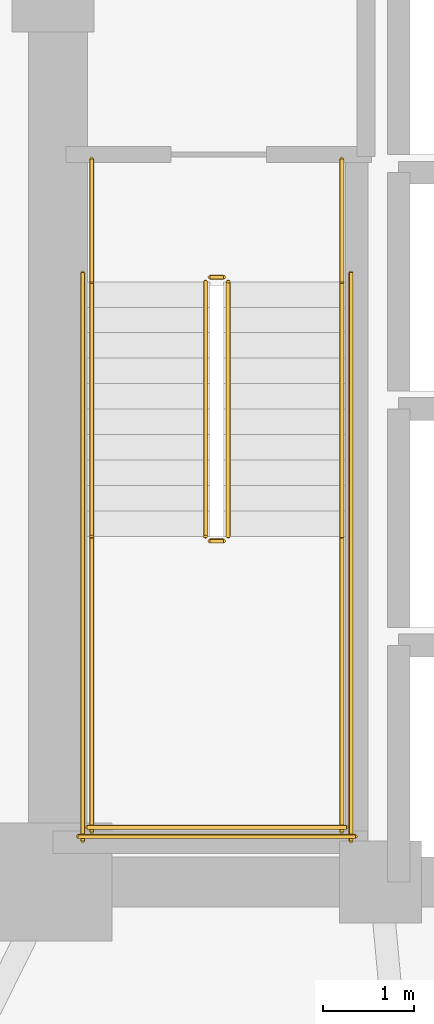
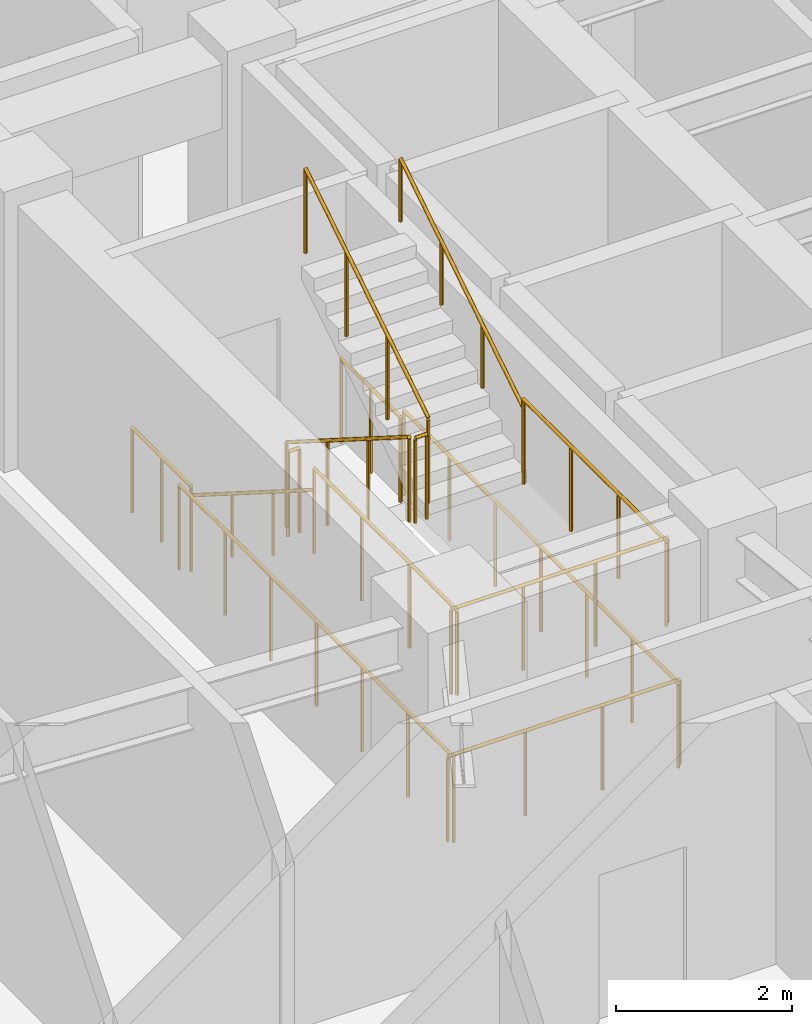
# One storey, part 11 of 12: 14 railings.
"""IFC4 building model written with IfcOpenShell, lengths in metres."""

from ifc_helpers import new_model, si_unit, direction, frame, origin, origin_2d, place, context, subcontext, project, spatial, circle, extrude, material, type_object, element, save


model = new_model("IFC4")

# Units and contexts
model_context = context("Model", 3, precision=1e-05, world=origin(), true_north=direction((0.0, 1.0)))
body_context = subcontext(model_context, "Body", "Model", "MODEL_VIEW")
ifc_project = project(units=[si_unit("LENGTHUNIT", "METRE"), si_unit("AREAUNIT", "SQUARE_METRE"), si_unit("VOLUMEUNIT", "CUBIC_METRE"), si_unit("PLANEANGLEUNIT", "RADIAN"), si_unit("MASSUNIT", "GRAM", prefix="KILO")], contexts=[model_context])

# Site, building, storey
site_placement = place(None, origin())
site = spatial("IfcSite", under=ifc_project, at=site_placement, CompositionType="ELEMENT")
building_placement = place(site_placement, origin())
building = spatial("IfcBuilding", under=site, at=building_placement, Name="Voryun Gate Residences", CompositionType="ELEMENT")
storey_placement = place(building_placement, frame((0.0, 0.0, 109.199951171875)))
storey = spatial("IfcBuildingStorey", under=building, at=storey_placement, Name="L26", CompositionType="ELEMENT", Elevation=109.199951171875)

# Railings
ifc_material_1 = material(Name="Painted steel", Category="steel")
railing_type_1 = type_object("IfcRailingType", Name="RAIL_STAIR_GUARD_1200", PredefinedType="GUARDRAIL", material=ifc_material_1)
railing_1_placement = place(storey_placement, frame((-17.52490234375, -0.800048828125, 0.17724609375)))
element("IfcRailing", 1, at=railing_1_placement, inside=storey, type_object=railing_type_1, Name="L26 ST-W1 stair guard 1", PredefinedType="GUARDRAIL", context=body_context, shape_type="SweptSolid", body=[
    extrude(circle(Radius=0.02392578125, at=origin_2d()), frame((0.0, 0.0, 1.17578125), z_axis=(0.0, -0.844908973607, 0.534910110503), x_axis=(1.0, 0.0, 0.0)), (0.0, 0.0, 1.0), 3.31396484375),
    extrude(circle(Radius=0.02099609375, at=origin_2d()), origin(), (0.0, 0.0, 1.0), 1.15185546875),
    extrude(circle(Radius=0.02099609375, at=origin_2d()), frame((0.0, -0.933349609375, 0.5908203125)), (0.0, 0.0, 1.0), 1.15185546875),
    extrude(circle(Radius=0.02099609375, at=origin_2d()), frame((0.0, -1.86669921875, 1.181884765625)), (0.0, 0.0, 1.0), 1.15185546875),
    extrude(circle(Radius=0.02099609375, at=origin_2d()), frame((0.0, -2.800048828125, 1.772705078125)), (0.0, 0.0, 1.0), 1.15185546875),
])
railing_2_placement = place(storey_placement, frame((-17.47509765625, -3.64990234375, 1.949951171875)))
element("IfcRailing", 2, at=railing_2_placement, inside=storey, type_object=railing_type_1, Name="L26 ST-W1 stair guard 2", PredefinedType="GUARDRAIL", context=body_context, shape_type="SweptSolid", body=[
    extrude(circle(Radius=0.02392578125, at=origin_2d()), frame((0.0, 0.0, 1.17578125), z_axis=(1.0, 0.0, 0.0), x_axis=(0.0, 1.0, 0.0)), (0.0, 0.0, 1.0), 0.150146484375),
    extrude(circle(Radius=0.02099609375, at=origin_2d()), origin(), (0.0, 0.0, 1.0), 1.15185546875),
    extrude(circle(Radius=0.02099609375, at=origin_2d()), frame((0.150146484375, 0.0, 0.0)), (0.0, 0.0, 1.0), 1.15185546875),
])
for number, where, name in (
    (3, (-18.77490234375, -3.60009765625, 1.949951171875), "L26 ST-W1 stair guard 3"),
    (4, (-16.02490234375, -3.60009765625, 1.949951171875), "L26 ST-W1 stair guard 4"),
):
    element("IfcRailing", number, at=place(storey_placement, frame(where)), inside=storey, type_object=railing_type_1, Name=name, PredefinedType="GUARDRAIL", context=body_context, shape_type="SweptSolid", body=[
        extrude(circle(Radius=0.02392578125, at=origin_2d()), frame((0.0, 0.0, 1.17578125), z_axis=(0.0, -1.0, 0.0), x_axis=(1.0, 0.0, 0.0)), (0.0, 0.0, 1.0), 3.25),
        extrude(circle(Radius=0.02099609375, at=origin_2d()), origin(), (0.0, 0.0, 1.0), 1.15185546875),
        extrude(circle(Radius=0.02099609375, at=origin_2d()), frame((0.0, -1.083251953125, 0.0)), (0.0, 0.0, 1.0), 1.15185546875),
        extrude(circle(Radius=0.02099609375, at=origin_2d()), frame((0.0, -2.166748046875, 0.0)), (0.0, 0.0, 1.0), 1.15185546875),
        extrude(circle(Radius=0.02099609375, at=origin_2d()), frame((0.0, -3.25, 0.0)), (0.0, 0.0, 1.0), 1.15185546875),
    ])
railing_3_placement = place(storey_placement, frame((-18.824951171875, -6.800048828125, 1.949951171875)))
element("IfcRailing", 5, at=railing_3_placement, inside=storey, type_object=railing_type_1, Name="L26 ST-W1 stair guard 5", PredefinedType="GUARDRAIL", context=body_context, shape_type="SweptSolid", body=[
    extrude(circle(Radius=0.02392578125, at=origin_2d()), frame((0.0, 0.0, 1.17578125), z_axis=(1.0, 0.0, 0.0), x_axis=(0.0, 1.0, 0.0)), (0.0, 0.0, 1.0), 2.849853515625),
    extrude(circle(Radius=0.02099609375, at=origin_2d()), origin(), (0.0, 0.0, 1.0), 1.15185546875),
    extrude(circle(Radius=0.02099609375, at=origin_2d()), frame((0.949951171875, 0.0, 0.0)), (0.0, 0.0, 1.0), 1.15185546875),
    extrude(circle(Radius=0.02099609375, at=origin_2d()), frame((1.89990234375, 0.0, 0.0)), (0.0, 0.0, 1.0), 1.15185546875),
    extrude(circle(Radius=0.02099609375, at=origin_2d()), frame((2.849853515625, 0.0, 0.0)), (0.0, 0.0, 1.0), 1.15185546875),
])
railing_4_placement = place(storey_placement, frame((-17.27490234375, -3.60009765625, 2.12744140625)))
element("IfcRailing", 6, at=railing_4_placement, inside=storey, type_object=railing_type_1, Name="L26 ST-W1 stair guard 6", PredefinedType="GUARDRAIL", context=body_context, shape_type="SweptSolid", body=[
    extrude(circle(Radius=0.02392578125, at=origin_2d()), frame((0.0, 0.0, 1.17578125), z_axis=(0.0, 0.844908973607, 0.534910110503), x_axis=(-1.0, 0.0, 0.0)), (0.0, 0.0, 1.0), 3.31396484375),
    extrude(circle(Radius=0.02099609375, at=origin_2d()), origin(), (0.0, 0.0, 1.0), 1.15185546875),
    extrude(circle(Radius=0.02099609375, at=origin_2d()), frame((0.0, 0.933349609375, 0.5908203125)), (0.0, 0.0, 1.0), 1.15185546875),
    extrude(circle(Radius=0.02099609375, at=origin_2d()), frame((0.0, 1.86669921875, 1.181884765625)), (0.0, 0.0, 1.0), 1.15185546875),
    extrude(circle(Radius=0.02099609375, at=origin_2d()), frame((0.0, 2.800048828125, 1.772705078125)), (0.0, 0.0, 1.0), 1.15185546875),
])
railing_5_placement = place(storey_placement, frame((-17.47509765625, -0.75, 0.0)))
element("IfcRailing", 7, at=railing_5_placement, inside=storey, type_object=railing_type_1, Name="L26 ST-W1 stair guard 7", PredefinedType="GUARDRAIL", context=body_context, shape_type="SweptSolid", body=[
    extrude(circle(Radius=0.02392578125, at=origin_2d()), frame((0.0, 0.0, 1.17578125), z_axis=(1.0, 0.0, 0.0), x_axis=(0.0, 1.0, 0.0)), (0.0, 0.0, 1.0), 0.150146484375),
    extrude(circle(Radius=0.02099609375, at=origin_2d()), origin(), (0.0, 0.0, 1.0), 1.15185546875),
    extrude(circle(Radius=0.02099609375, at=origin_2d()), frame((0.150146484375, 0.0, 0.0)), (0.0, 0.0, 1.0), 1.15185546875),
])
for number, where, name in (
    (8, (-18.77490234375, 0.550048828125, 0.0), "L26 ST-W1 stair guard 8"),
    (9, (-16.02490234375, 0.550048828125, 0.0), "L26 ST-W1 stair guard 9"),
):
    element("IfcRailing", number, at=place(storey_placement, frame(where)), inside=storey, type_object=railing_type_1, Name=name, PredefinedType="GUARDRAIL", context=body_context, shape_type="SweptSolid", body=[
        extrude(circle(Radius=0.02392578125, at=origin_2d()), frame((0.0, 0.0, 1.17578125), z_axis=(0.0, -1.0, 0.0), x_axis=(1.0, 0.0, 0.0)), (0.0, 0.0, 1.0), 1.35009765625),
        extrude(circle(Radius=0.02099609375, at=origin_2d()), origin(), (0.0, 0.0, 1.0), 1.15185546875),
        extrude(circle(Radius=0.02099609375, at=origin_2d()), frame((0.0, -0.675048828125, 0.0)), (0.0, 0.0, 1.0), 1.15185546875),
        extrude(circle(Radius=0.02099609375, at=origin_2d()), frame((0.0, -1.35009765625, 0.0)), (0.0, 0.0, 1.0), 1.15185546875),
    ])
for number, where, name in (
    (10, (-18.875, -0.699951171875, 0.0), "L26 ST-W1 stair guard 10"),
    (11, (-15.925048828125, -0.699951171875, 0.0), "L26 ST-W1 stair guard 11"),
):
    element("IfcRailing", number, at=place(storey_placement, frame(where)), inside=storey, type_object=railing_type_1, Name=name, PredefinedType="GUARDRAIL", context=body_context, shape_type="SweptSolid", body=[
        extrude(circle(Radius=0.02392578125, at=origin_2d()), frame((0.0, 0.0, 1.17578125), z_axis=(0.0, -1.0, 0.0), x_axis=(1.0, 0.0, 0.0)), (0.0, 0.0, 1.0), 6.25),
        extrude(circle(Radius=0.02099609375, at=origin_2d()), origin(), (0.0, 0.0, 1.0), 1.15185546875),
        extrude(circle(Radius=0.02099609375, at=origin_2d()), frame((0.0, -1.041748046875, 0.0)), (0.0, 0.0, 1.0), 1.15185546875),
        extrude(circle(Radius=0.02099609375, at=origin_2d()), frame((0.0, -2.083251953125, 0.0)), (0.0, 0.0, 1.0), 1.15185546875),
        extrude(circle(Radius=0.02099609375, at=origin_2d()), frame((0.0, -3.125, 0.0)), (0.0, 0.0, 1.0), 1.15185546875),
        extrude(circle(Radius=0.02099609375, at=origin_2d()), frame((0.0, -4.166748046875, 0.0)), (0.0, 0.0, 1.0), 1.15185546875),
        extrude(circle(Radius=0.02099609375, at=origin_2d()), frame((0.0, -5.208251953125, 0.0)), (0.0, 0.0, 1.0), 1.15185546875),
        extrude(circle(Radius=0.02099609375, at=origin_2d()), frame((0.0, -6.25, 0.0)), (0.0, 0.0, 1.0), 1.15185546875),
    ])
railing_6_placement = place(storey_placement, frame((-18.925048828125, -6.89990234375, 0.0)))
element("IfcRailing", 12, at=railing_6_placement, inside=storey, type_object=railing_type_1, Name="L26 ST-W1 stair guard 12", PredefinedType="GUARDRAIL", context=body_context, shape_type="SweptSolid", body=[
    extrude(circle(Radius=0.02392578125, at=origin_2d()), frame((0.0, 0.0, 1.17578125), z_axis=(1.0, 0.0, 0.0), x_axis=(0.0, 1.0, 0.0)), (0.0, 0.0, 1.0), 3.050048828125),
    extrude(circle(Radius=0.02099609375, at=origin_2d()), origin(), (0.0, 0.0, 1.0), 1.15185546875),
    extrude(circle(Radius=0.02099609375, at=origin_2d()), frame((1.0166015625, 0.0, 0.0)), (0.0, 0.0, 1.0), 1.15185546875),
    extrude(circle(Radius=0.02099609375, at=origin_2d()), frame((2.033447265625, 0.0, 0.0)), (0.0, 0.0, 1.0), 1.15185546875),
    extrude(circle(Radius=0.02099609375, at=origin_2d()), frame((3.050048828125, 0.0, 0.0)), (0.0, 0.0, 1.0), 1.15185546875),
])
ifc_material_2 = material(Name="Painted steel", Category="steel")
railing_type_2 = type_object("IfcRailingType", Name="RAIL_STAIR_HANDRAIL_900", PredefinedType="HANDRAIL", material=ifc_material_2)
railing_7_placement = place(storey_placement, frame((-18.77490234375, -0.800048828125, 0.17724609375)))
element("IfcRailing", 13, at=railing_7_placement, inside=storey, type_object=railing_type_2, Name="L26 ST-W1 stair handrail 1", PredefinedType="HANDRAIL", context=body_context, shape_type="SweptSolid", body=[
    extrude(circle(Radius=0.02392578125, at=origin_2d()), frame((0.0, 0.0, 0.8759765625), z_axis=(0.0, -0.844908973607, 0.534910110503), x_axis=(1.0, 0.0, 0.0)), (0.0, 0.0, 1.0), 3.31396484375),
    extrude(circle(Radius=0.02099609375, at=origin_2d()), origin(), (0.0, 0.0, 1.0), 0.851806640625),
    extrude(circle(Radius=0.02099609375, at=origin_2d()), frame((0.0, -0.933349609375, 0.5908203125)), (0.0, 0.0, 1.0), 0.851806640625),
    extrude(circle(Radius=0.02099609375, at=origin_2d()), frame((0.0, -1.86669921875, 1.181884765625)), (0.0, 0.0, 1.0), 0.851806640625),
    extrude(circle(Radius=0.02099609375, at=origin_2d()), frame((0.0, -2.800048828125, 1.772705078125)), (0.0, 0.0, 1.0), 0.851806640625),
])
railing_8_placement = place(storey_placement, frame((-16.02490234375, -3.60009765625, 2.12744140625)))
element("IfcRailing", 14, at=railing_8_placement, inside=storey, type_object=railing_type_2, Name="L26 ST-W1 stair handrail 2", PredefinedType="HANDRAIL", context=body_context, shape_type="SweptSolid", body=[
    extrude(circle(Radius=0.02392578125, at=origin_2d()), frame((0.0, 0.0, 0.8759765625), z_axis=(0.0, 0.844908973607, 0.534910110503), x_axis=(-1.0, 0.0, 0.0)), (0.0, 0.0, 1.0), 3.31396484375),
    extrude(circle(Radius=0.02099609375, at=origin_2d()), origin(), (0.0, 0.0, 1.0), 0.851806640625),
    extrude(circle(Radius=0.02099609375, at=origin_2d()), frame((0.0, 0.933349609375, 0.5908203125)), (0.0, 0.0, 1.0), 0.851806640625),
    extrude(circle(Radius=0.02099609375, at=origin_2d()), frame((0.0, 1.86669921875, 1.181884765625)), (0.0, 0.0, 1.0), 0.851806640625),
    extrude(circle(Radius=0.02099609375, at=origin_2d()), frame((0.0, 2.800048828125, 1.772705078125)), (0.0, 0.0, 1.0), 0.851806640625),
])

save(model, "model.ifc")
